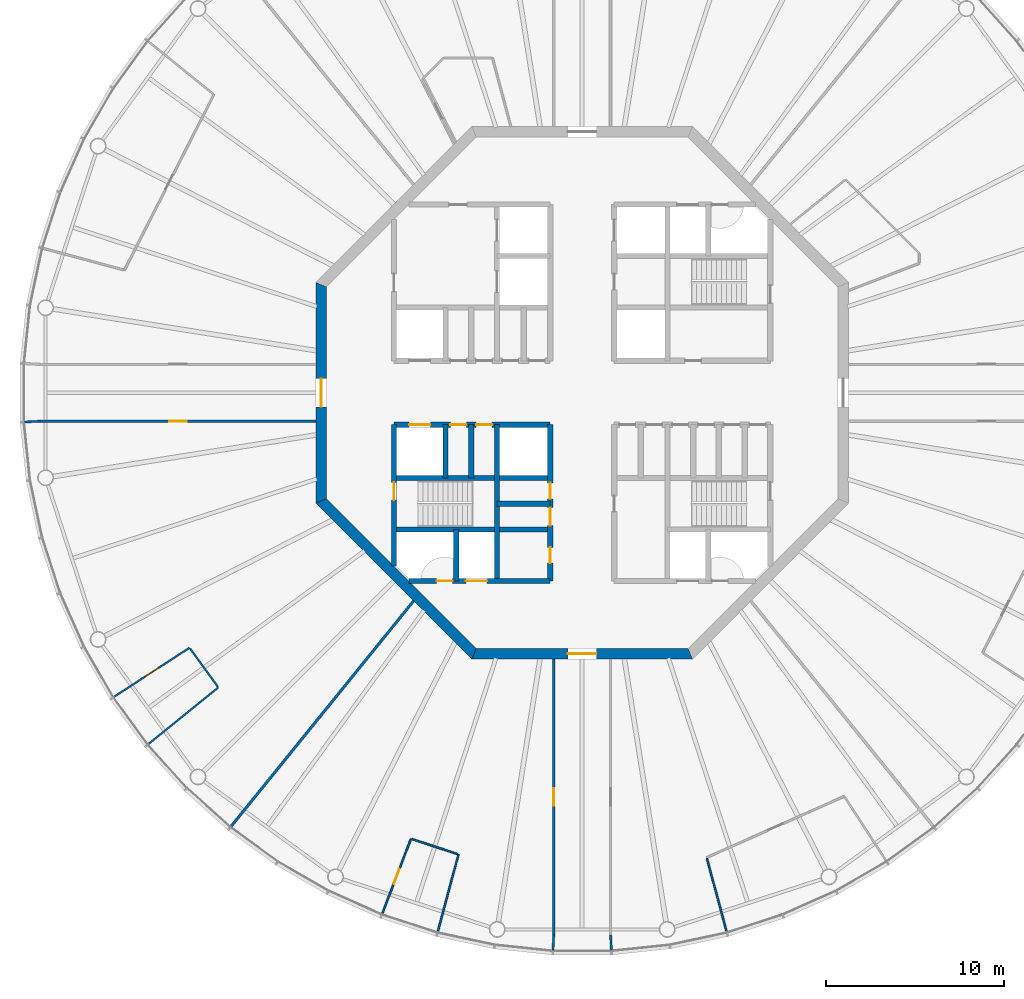
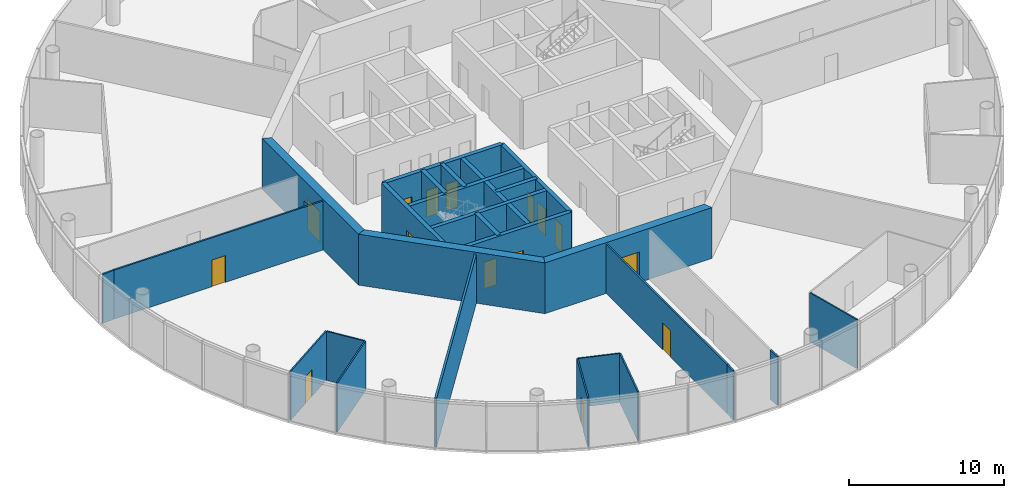
# One storey, part 3 of 13: 27 walls, 15 doors, 15 openings.
"""IFC4 building model written with IfcOpenShell, lengths in metres."""

from ifc_helpers import new_model, si_unit, direction, frame, frame_2d, origin, place, context, subcontext, project, spatial, polyline, rectangle, outline, extrude, material, layer, layer_set, type_object, element, fill, save


model = new_model("IFC4")

# Units and contexts
model_context = context("Model", 3, precision=1e-05, world=origin(), true_north=direction((0.0, 1.0)))
body_context = subcontext(model_context, "Body", "Model", "MODEL_VIEW")
ifc_project = project(units=[si_unit("LENGTHUNIT", "METRE"), si_unit("AREAUNIT", "SQUARE_METRE"), si_unit("VOLUMEUNIT", "CUBIC_METRE"), si_unit("PLANEANGLEUNIT", "RADIAN"), si_unit("MASSUNIT", "GRAM", prefix="KILO")], contexts=[model_context])

# Site, building, storey
site_placement = place(None, origin())
site = spatial("IfcSite", under=ifc_project, at=site_placement, CompositionType="ELEMENT")
building_placement = place(site_placement, origin())
building = spatial("IfcBuilding", under=site, at=building_placement, Name="Entoto Ring Tower", CompositionType="ELEMENT")
storey_placement = place(building_placement, frame((0.0, 0.0, 384.0)))
storey = spatial("IfcBuildingStorey", under=building, at=storey_placement, Name="L89", CompositionType="ELEMENT", Elevation=384.0)

# Wall, openings, doors
ifc_material_1 = material(Name="Concrete C40/50", Category="concrete")
ifc_layer_1 = layer(ifc_material_1, 0.300048828125)
ifc_layer_set_1 = layer_set([ifc_layer_1], Name="Concrete C40/50")
wall_type_1 = type_object("IfcWallType", Name="Core enclosure wall 300 mm reinforced concrete", PredefinedType="SOLIDWALL", material=ifc_layer_set_1)
wall_1_placement = place(storey_placement, frame((88.199951171875, 69.39990234375, 0.0), z_axis=(0.0, 0.0, 1.0), x_axis=(0.0, 1.0, 0.0)))
wall_1 = element("IfcWall", 1, at=wall_1_placement, inside=storey, type_object=wall_type_1, Name="wall-L89-013", PredefinedType="SOLIDWALL", context=body_context, shape_type="SweptSolid", body=[
    extrude(rectangle(XDim=8.800048828125, YDim=0.300048828125, at=frame_2d((4.39990234375, 0.0))), origin(), (0.0, 0.0, 1.0), 3.85009765625),
])
opening_1_placement = place(wall_1_placement, frame((3.125, 0.0, 0.0)))
opening_1 = element("IfcOpeningElement", 2, at=opening_1_placement, cuts=wall_1, Name="Opening K-70", PredefinedType="OPENING", context=body_context, shape_type="SweptSolid", body=[
    extrude(rectangle(XDim=1.0, YDim=2.10009765625, at=frame_2d((0.5, 1.050048828125))), frame((0.0, 0.16015625, 0.0), z_axis=(0.0, -1.0, 0.0), x_axis=(1.0, 0.0, 0.0)), (0.0, 0.0, 1.0), 0.320068359375),
])
opening_2_placement = place(wall_1_placement, frame((4.625, 0.0, 0.0)))
opening_2 = element("IfcOpeningElement", 3, at=opening_2_placement, cuts=wall_1, Name="Opening K-71", PredefinedType="OPENING", context=body_context, shape_type="SweptSolid", body=[
    extrude(rectangle(XDim=0.89990234375, YDim=2.10009765625, at=frame_2d((0.449951171875, 1.050048828125))), frame((0.0, 0.16015625, 0.0), z_axis=(0.0, -1.0, 0.0), x_axis=(1.0, 0.0, 0.0)), (0.0, 0.0, 1.0), 0.320068359375),
])
opening_3_placement = place(wall_1_placement, frame((1.0, 0.0, 0.0)))
opening_3 = element("IfcOpeningElement", 4, at=opening_3_placement, cuts=wall_1, Name="Opening K-24", PredefinedType="OPENING", context=body_context, shape_type="SweptSolid", body=[
    extrude(rectangle(XDim=0.89990234375, YDim=2.10009765625, at=frame_2d((0.449951171875, 1.050048828125))), frame((0.0, 0.16015625, 0.0), z_axis=(0.0, -1.0, 0.0), x_axis=(1.0, 0.0, 0.0)), (0.0, 0.0, 1.0), 0.320068359375),
])
ifc_material_2 = material(Name="Steel door leaf, fire rated", Category="steel")
ifc_layer_2 = layer(ifc_material_2, 0.050048828125)
ifc_layer_set_2 = layer_set([ifc_layer_2], Name="Steel door leaf, fire rated")
door_type_1 = type_object("IfcDoorType", Name="Accessible door 1000 x 2100 single leaf", OperationType="NOTDEFINED", PredefinedType="DOOR", material=ifc_layer_set_2)
door_1_placement = place(opening_1_placement, origin())
door_1 = element("IfcDoor", 5, at=door_1_placement, inside=storey, type_object=door_type_1, Name="Door K-70", OperationType="SINGLE_SWING_RIGHT", OverallHeight=2.10009765625, OverallWidth=1.0, PredefinedType="DOOR", context=body_context, shape_type="SweptSolid", body=[
    extrude(rectangle(XDim=1.0, YDim=2.10009765625, at=frame_2d((0.5, 1.050048828125))), frame((0.0, 0.02490234375, 0.0), z_axis=(0.0, -1.0, 0.0), x_axis=(1.0, 0.0, 0.0)), (0.0, 0.0, 1.0), 0.050048828125),
])
fill(opening_1, door_1)
ifc_material_3 = material(Name="Steel door leaf, fire rated", Category="steel")
ifc_layer_3 = layer(ifc_material_3, 0.050048828125)
ifc_layer_set_3 = layer_set([ifc_layer_3], Name="Steel door leaf, fire rated")
door_type_2 = type_object("IfcDoorType", Name="Core door 900 x 2100 single leaf", OperationType="NOTDEFINED", PredefinedType="DOOR", material=ifc_layer_set_3)
door_2_placement = place(opening_2_placement, origin())
door_2 = element("IfcDoor", 6, at=door_2_placement, inside=storey, type_object=door_type_2, Name="Door K-71", OperationType="SINGLE_SWING_RIGHT", OverallHeight=2.10009765625, OverallWidth=0.89990234375, PredefinedType="DOOR", context=body_context, shape_type="SweptSolid", body=[
    extrude(rectangle(XDim=0.89990234375, YDim=2.10009765625, at=frame_2d((0.449951171875, 1.050048828125))), frame((0.0, 0.02490234375, 0.0), z_axis=(0.0, -1.0, 0.0), x_axis=(1.0, 0.0, 0.0)), (0.0, 0.0, 1.0), 0.050048828125),
])
fill(opening_2, door_2)
door_3_placement = place(opening_3_placement, origin())
door_3 = element("IfcDoor", 7, at=door_3_placement, inside=storey, type_object=door_type_2, Name="Door K-24", OperationType="SINGLE_SWING_RIGHT", OverallHeight=2.10009765625, OverallWidth=0.89990234375, PredefinedType="DOOR", context=body_context, shape_type="SweptSolid", body=[
    extrude(rectangle(XDim=0.89990234375, YDim=2.10009765625, at=frame_2d((0.449951171875, 1.050048828125))), frame((0.0, 0.02490234375, 0.0), z_axis=(0.0, -1.0, 0.0), x_axis=(1.0, 0.0, 0.0)), (0.0, 0.0, 1.0), 0.050048828125),
])
fill(opening_3, door_3)

# Walls
wall_2_placement = place(storey_placement, frame((85.199951171875, 69.39990234375, 0.0), z_axis=(0.0, 0.0, 1.0), x_axis=(0.0, 1.0, 0.0)))
element("IfcWall", 8, at=wall_2_placement, inside=storey, type_object=wall_type_1, Name="wall-L89-016", PredefinedType="SOLIDWALL", context=body_context, shape_type="SweptSolid", body=[
    extrude(rectangle(XDim=8.800048828125, YDim=0.300048828125, at=frame_2d((4.39990234375, 0.0))), origin(), (0.0, 0.0, 1.0), 3.85009765625),
])
wall_3_placement = place(storey_placement, frame((83.75, 75.199951171875, 0.0), z_axis=(0.0, 0.0, 1.0), x_axis=(0.0, 1.0, 0.0)))
element("IfcWall", 9, at=wall_3_placement, inside=storey, type_object=wall_type_1, Name="wall-L89-018", PredefinedType="SOLIDWALL", context=body_context, shape_type="SweptSolid", body=[
    extrude(rectangle(XDim=3.0, YDim=0.300048828125, at=frame_2d((1.5, 0.0))), origin(), (0.0, 0.0, 1.0), 3.85009765625),
])
wall_4_placement = place(storey_placement, frame((82.89990234375, 69.39990234375, 0.0), z_axis=(0.0, 0.0, 1.0), x_axis=(0.0, 1.0, 0.0)))
element("IfcWall", 10, at=wall_4_placement, inside=storey, type_object=wall_type_1, Name="wall-L89-020", PredefinedType="SOLIDWALL", context=body_context, shape_type="SweptSolid", body=[
    extrude(rectangle(XDim=2.900146484375, YDim=0.300048828125, at=frame_2d((1.4501953125, 0.0))), origin(), (0.0, 0.0, 1.0), 3.85009765625),
])
wall_5_placement = place(storey_placement, frame((82.300048828125, 75.199951171875, 0.0), z_axis=(0.0, 0.0, 1.0), x_axis=(0.0, 1.0, 0.0)))
element("IfcWall", 11, at=wall_5_placement, inside=storey, type_object=wall_type_1, Name="wall-L89-021", PredefinedType="SOLIDWALL", context=body_context, shape_type="SweptSolid", body=[
    extrude(rectangle(XDim=3.0, YDim=0.300048828125, at=frame_2d((1.5, 0.0))), origin(), (0.0, 0.0, 1.0), 3.85009765625),
])

# Wall, opening, door
wall_6_placement = place(storey_placement, frame((79.39990234375, 70.2353515625, 0.0), z_axis=(0.0, 0.0, 1.0), x_axis=(0.0, 1.0, 0.0)))
wall_6 = element("IfcWall", 12, at=wall_6_placement, inside=storey, type_object=wall_type_1, Name="wall-L89-023", PredefinedType="SOLIDWALL", context=body_context, shape_type="SweptSolid", body=[
    extrude(rectangle(XDim=7.964599609375, YDim=0.300048828125, at=frame_2d((3.982421875, 0.0))), origin(), (0.0, 0.0, 1.0), 3.85009765625),
])
opening_4_placement = place(wall_6_placement, frame((3.714599609375, 0.0, 0.0)))
opening_4 = element("IfcOpeningElement", 13, at=opening_4_placement, cuts=wall_6, Name="Opening K-30", PredefinedType="OPENING", context=body_context, shape_type="SweptSolid", body=[
    extrude(rectangle(XDim=1.0, YDim=2.10009765625, at=frame_2d((0.5, 1.050048828125))), frame((0.0, 0.16015625, 0.0), z_axis=(0.0, -1.0, 0.0), x_axis=(1.0, 0.0, 0.0)), (0.0, 0.0, 1.0), 0.320068359375),
])
ifc_material_4 = material(Name="Steel door leaf, fire rated", Category="steel")
ifc_layer_4 = layer(ifc_material_4, 0.050048828125)
ifc_layer_set_4 = layer_set([ifc_layer_4], Name="Steel door leaf, fire rated")
door_type_3 = type_object("IfcDoorType", Name="Fire door FD60 1000 x 2100 single leaf", OperationType="NOTDEFINED", PredefinedType="DOOR", material=ifc_layer_set_4)
door_4_placement = place(opening_4_placement, frame((1.0, 0.0, 0.0), z_axis=(0.0, 0.0, 1.0), x_axis=(-1.0, 0.0, 0.0)))
door_4 = element("IfcDoor", 14, at=door_4_placement, inside=storey, type_object=door_type_3, Name="Door K-30", OperationType="SINGLE_SWING_LEFT", OverallHeight=2.10009765625, OverallWidth=1.0, PredefinedType="DOOR", context=body_context, shape_type="SweptSolid", body=[
    extrude(rectangle(XDim=1.0, YDim=2.10009765625, at=frame_2d((0.5, 1.050048828125))), frame((0.0, 0.02490234375, 0.0), z_axis=(0.0, -1.0, 0.0), x_axis=(1.0, 0.0, 0.0)), (0.0, 0.0, 1.0), 0.050048828125),
])
fill(opening_4, door_4)

# Wall, openings, doors
wall_7_placement = place(storey_placement, frame((80.2353515625, 69.39990234375, 0.0), z_axis=(0.0, 0.0, 1.0), x_axis=(1.0, 0.0, 0.0)))
wall_7 = element("IfcWall", 15, at=wall_7_placement, inside=storey, type_object=wall_type_1, Name="wall-L89-025", PredefinedType="SOLIDWALL", context=body_context, shape_type="SweptSolid", body=[
    extrude(rectangle(XDim=7.964599609375, YDim=0.300048828125, at=frame_2d((3.982421875, 0.0))), origin(), (0.0, 0.0, 1.0), 3.85009765625),
])
opening_5_placement = place(wall_7_placement, frame((3.214599609375, 0.0, 0.0)))
opening_5 = element("IfcOpeningElement", 16, at=opening_5_placement, cuts=wall_7, Name="Opening LD", PredefinedType="OPENING", context=body_context, shape_type="SweptSolid", body=[
    extrude(rectangle(XDim=1.199951171875, YDim=2.10009765625, at=frame_2d((0.60009765625, 1.050048828125))), frame((0.0, 0.16015625, 0.0), z_axis=(0.0, -1.0, 0.0), x_axis=(1.0, 0.0, 0.0)), (0.0, 0.0, 1.0), 0.320068359375),
])
opening_6_placement = place(wall_7_placement, frame((1.564697265625, 0.0, 0.0)))
opening_6 = element("IfcOpeningElement", 17, at=opening_6_placement, cuts=wall_7, Name="Opening K-33", PredefinedType="OPENING", context=body_context, shape_type="SweptSolid", body=[
    extrude(rectangle(XDim=0.89990234375, YDim=2.10009765625, at=frame_2d((0.449951171875, 1.050048828125))), frame((0.0, 0.16015625, 0.0), z_axis=(0.0, -1.0, 0.0), x_axis=(1.0, 0.0, 0.0)), (0.0, 0.0, 1.0), 0.320068359375),
])
ifc_material_5 = material(Name="Steel and glass door leaf", Category="steel")
ifc_layer_5 = layer(ifc_material_5, 0.050048828125)
ifc_layer_set_5 = layer_set([ifc_layer_5], Name="Steel and glass door leaf")
door_type_4 = type_object("IfcDoorType", Name="Landing door 1200 x 2100 sliding", OperationType="DOUBLE_DOOR_SLIDING", PredefinedType="DOOR", material=ifc_layer_set_5)
door_5_placement = place(opening_5_placement, origin())
door_5 = element("IfcDoor", 18, at=door_5_placement, inside=storey, type_object=door_type_4, Name="Landing door LB3-HR", OperationType="SLIDING_TO_RIGHT", OverallHeight=2.10009765625, OverallWidth=1.199951171875, PredefinedType="DOOR", context=body_context, shape_type="SweptSolid", body=[
    extrude(rectangle(XDim=1.199951171875, YDim=2.10009765625, at=frame_2d((0.60009765625, 1.050048828125))), frame((0.0, 0.02490234375, 0.0), z_axis=(0.0, -1.0, 0.0), x_axis=(1.0, 0.0, 0.0)), (0.0, 0.0, 1.0), 0.050048828125),
])
fill(opening_5, door_5)
ifc_material_6 = material(Name="Steel door leaf, fire rated", Category="steel")
ifc_layer_6 = layer(ifc_material_6, 0.050048828125)
ifc_layer_set_6 = layer_set([ifc_layer_6], Name="Steel door leaf, fire rated")
door_type_5 = type_object("IfcDoorType", Name="Riser door FD60 900 x 2100 single leaf", OperationType="NOTDEFINED", PredefinedType="DOOR", material=ifc_layer_set_6)
door_6_placement = place(opening_6_placement, origin())
door_6 = element("IfcDoor", 19, at=door_6_placement, inside=storey, type_object=door_type_5, Name="Door K-33", OperationType="SINGLE_SWING_RIGHT", OverallHeight=2.10009765625, OverallWidth=0.89990234375, PredefinedType="DOOR", context=body_context, shape_type="SweptSolid", body=[
    extrude(rectangle(XDim=0.89990234375, YDim=2.10009765625, at=frame_2d((0.449951171875, 1.050048828125))), frame((0.0, 0.02490234375, 0.0), z_axis=(0.0, -1.0, 0.0), x_axis=(1.0, 0.0, 0.0)), (0.0, 0.0, 1.0), 0.050048828125),
])
fill(opening_6, door_6)

# Walls
wall_8_placement = place(storey_placement, frame((79.39990234375, 72.300048828125, 0.0), z_axis=(0.0, 0.0, 1.0), x_axis=(1.0, 0.0, 0.0)))
element("IfcWall", 20, at=wall_8_placement, inside=storey, type_object=wall_type_1, Name="wall-L89-027", PredefinedType="SOLIDWALL", context=body_context, shape_type="SweptSolid", body=[
    extrude(rectangle(XDim=8.800048828125, YDim=0.300048828125, at=frame_2d((4.39990234375, 0.0))), origin(), (0.0, 0.0, 1.0), 3.85009765625),
])
wall_9_placement = place(storey_placement, frame((85.199951171875, 73.75, 0.0), z_axis=(0.0, 0.0, 1.0), x_axis=(1.0, 0.0, 0.0)))
element("IfcWall", 21, at=wall_9_placement, inside=storey, type_object=wall_type_1, Name="wall-L89-029", PredefinedType="SOLIDWALL", context=body_context, shape_type="SweptSolid", body=[
    extrude(rectangle(XDim=3.0, YDim=0.300048828125, at=frame_2d((1.5, 0.0))), origin(), (0.0, 0.0, 1.0), 3.85009765625),
])
wall_10_placement = place(storey_placement, frame((79.39990234375, 75.199951171875, 0.0), z_axis=(0.0, 0.0, 1.0), x_axis=(1.0, 0.0, 0.0)))
element("IfcWall", 22, at=wall_10_placement, inside=storey, type_object=wall_type_1, Name="wall-L89-030", PredefinedType="SOLIDWALL", context=body_context, shape_type="SweptSolid", body=[
    extrude(rectangle(XDim=8.800048828125, YDim=0.300048828125, at=frame_2d((4.39990234375, 0.0))), origin(), (0.0, 0.0, 1.0), 3.85009765625),
])

# Wall, openings, doors
wall_11_placement = place(storey_placement, frame((79.39990234375, 78.199951171875, 0.0), z_axis=(0.0, 0.0, 1.0), x_axis=(1.0, 0.0, 0.0)))
wall_11 = element("IfcWall", 23, at=wall_11_placement, inside=storey, type_object=wall_type_1, Name="wall-L89-032", PredefinedType="SOLIDWALL", context=body_context, shape_type="SweptSolid", body=[
    extrude(rectangle(XDim=8.800048828125, YDim=0.300048828125, at=frame_2d((4.39990234375, 0.0))), origin(), (0.0, 0.0, 1.0), 3.85009765625),
])
opening_7_placement = place(wall_11_placement, frame((0.85009765625, 0.0, 0.0)))
opening_7 = element("IfcOpeningElement", 24, at=opening_7_placement, cuts=wall_11, Name="Opening LD", PredefinedType="OPENING", context=body_context, shape_type="SweptSolid", body=[
    extrude(rectangle(XDim=1.199951171875, YDim=2.10009765625, at=frame_2d((0.60009765625, 1.050048828125))), frame((0.0, 0.16015625, 0.0), z_axis=(0.0, -1.0, 0.0), x_axis=(1.0, 0.0, 0.0)), (0.0, 0.0, 1.0), 0.320068359375),
])
opening_8_placement = place(wall_11_placement, frame((3.175048828125, 0.0, 0.0)))
opening_8 = element("IfcOpeningElement", 25, at=opening_8_placement, cuts=wall_11, Name="Opening K-18", PredefinedType="OPENING", context=body_context, shape_type="SweptSolid", body=[
    extrude(rectangle(XDim=0.89990234375, YDim=2.10009765625, at=frame_2d((0.449951171875, 1.050048828125))), frame((0.0, 0.16015625, 0.0), z_axis=(0.0, -1.0, 0.0), x_axis=(1.0, 0.0, 0.0)), (0.0, 0.0, 1.0), 0.320068359375),
])
opening_9_placement = place(wall_11_placement, frame((4.625, 0.0, 0.0)))
opening_9 = element("IfcOpeningElement", 26, at=opening_9_placement, cuts=wall_11, Name="Opening K-19", PredefinedType="OPENING", context=body_context, shape_type="SweptSolid", body=[
    extrude(rectangle(XDim=0.89990234375, YDim=2.10009765625, at=frame_2d((0.449951171875, 1.050048828125))), frame((0.0, 0.16015625, 0.0), z_axis=(0.0, -1.0, 0.0), x_axis=(1.0, 0.0, 0.0)), (0.0, 0.0, 1.0), 0.320068359375),
])
door_7_placement = place(opening_8_placement, frame((0.89990234375, 0.0, 0.0), z_axis=(0.0, 0.0, 1.0), x_axis=(-1.0, 0.0, 0.0)))
door_7 = element("IfcDoor", 27, at=door_7_placement, inside=storey, type_object=door_type_2, Name="Door K-18", OperationType="SINGLE_SWING_LEFT", OverallHeight=2.10009765625, OverallWidth=0.89990234375, PredefinedType="DOOR", context=body_context, shape_type="SweptSolid", body=[
    extrude(rectangle(XDim=0.89990234375, YDim=2.10009765625, at=frame_2d((0.449951171875, 1.050048828125))), frame((0.0, 0.02490234375, 0.0), z_axis=(0.0, -1.0, 0.0), x_axis=(1.0, 0.0, 0.0)), (0.0, 0.0, 1.0), 0.050048828125),
])
fill(opening_8, door_7)
door_8_placement = place(opening_9_placement, frame((0.89990234375, 0.0, 0.0), z_axis=(0.0, 0.0, 1.0), x_axis=(-1.0, 0.0, 0.0)))
door_8 = element("IfcDoor", 28, at=door_8_placement, inside=storey, type_object=door_type_2, Name="Door K-19", OperationType="SINGLE_SWING_LEFT", OverallHeight=2.10009765625, OverallWidth=0.89990234375, PredefinedType="DOOR", context=body_context, shape_type="SweptSolid", body=[
    extrude(rectangle(XDim=0.89990234375, YDim=2.10009765625, at=frame_2d((0.449951171875, 1.050048828125))), frame((0.0, 0.02490234375, 0.0), z_axis=(0.0, -1.0, 0.0), x_axis=(1.0, 0.0, 0.0)), (0.0, 0.0, 1.0), 0.050048828125),
])
fill(opening_9, door_8)
door_9_placement = place(opening_7_placement, origin())
door_9 = element("IfcDoor", 29, at=door_9_placement, inside=storey, type_object=door_type_4, Name="Landing door SH2", OperationType="SLIDING_TO_RIGHT", OverallHeight=2.10009765625, OverallWidth=1.199951171875, PredefinedType="DOOR", context=body_context, shape_type="SweptSolid", body=[
    extrude(rectangle(XDim=1.199951171875, YDim=2.10009765625, at=frame_2d((0.60009765625, 1.050048828125))), frame((0.0, 0.02490234375, 0.0), z_axis=(0.0, -1.0, 0.0), x_axis=(1.0, 0.0, 0.0)), (0.0, 0.0, 1.0), 0.050048828125),
])
fill(opening_7, door_9)

# Wall, opening, door
ifc_material_7 = material(Name="Concrete C40/50", Category="concrete")
ifc_layer_7 = layer(ifc_material_7, 0.60009765625)
ifc_layer_set_7 = layer_set([ifc_layer_7], Name="Concrete C40/50")
wall_type_2 = type_object("IfcWallType", Name="Core shear wall 600 mm reinforced concrete C40/50", PredefinedType="SHEAR", material=ifc_layer_set_7)
wall_12_placement = place(storey_placement, frame((75.300048828125, 86.0888671875, 0.0), z_axis=(0.0, 0.0, 1.0), x_axis=(0.0, -1.0, 0.0)))
wall_12 = element("IfcWall", 30, at=wall_12_placement, inside=storey, type_object=wall_type_2, Name="wall-L89-core-4", PredefinedType="SHEAR", context=body_context, shape_type="SweptSolid", body=[
    extrude(outline(polyline([(-0.124267578125, -0.300048828125), (12.302001953125, -0.300048828125), (12.053466796875, 0.300048828125), (0.124267578125, 0.300048828125), (-0.124267578125, -0.300048828125)])), origin(), (0.0, 0.0, 1.0), 4.0),
])
opening_10_placement = place(wall_12_placement, frame((5.288818359375, 0.0, 0.0)))
opening_10 = element("IfcOpeningElement", 31, at=opening_10_placement, cuts=wall_12, Name="Opening K-03", PredefinedType="OPENING", context=body_context, shape_type="SweptSolid", body=[
    extrude(rectangle(XDim=1.60009765625, YDim=2.39990234375, at=frame_2d((0.800048828125, 1.199951171875))), frame((0.0, 0.31005859375, 0.0), z_axis=(0.0, -1.0, 0.0), x_axis=(1.0, 0.0, 0.0)), (0.0, 0.0, 1.0), 0.6201171875),
])
ifc_material_8 = material(Name="Steel door leaf, fire rated", Category="steel")
ifc_layer_8 = layer(ifc_material_8, 0.050048828125)
ifc_layer_set_8 = layer_set([ifc_layer_8], Name="Steel door leaf, fire rated")
door_type_6 = type_object("IfcDoorType", Name="Entrance door FD60 1600 x 2400 double leaf", OperationType="DOUBLE_DOOR_SINGLE_SWING", PredefinedType="DOOR", material=ifc_layer_set_8)
door_10_placement = place(opening_10_placement, origin())
door_10 = element("IfcDoor", 32, at=door_10_placement, inside=storey, type_object=door_type_6, Name="Entrance door K-03", OperationType="DOUBLE_DOOR_SINGLE_SWING", OverallHeight=2.39990234375, OverallWidth=1.60009765625, PredefinedType="DOOR", context=body_context, shape_type="SweptSolid", body=[
    extrude(rectangle(XDim=1.60009765625, YDim=2.39990234375, at=frame_2d((0.800048828125, 1.199951171875))), frame((0.0, 0.02490234375, 0.0), z_axis=(0.0, -1.0, 0.0), x_axis=(1.0, 0.0, 0.0)), (0.0, 0.0, 1.0), 0.050048828125),
])
fill(opening_10, door_10)

# Wall
wall_13_placement = place(storey_placement, frame((75.300048828125, 73.9111328125, 0.0), z_axis=(0.0, 0.0, 1.0), x_axis=(0.707106781187, -0.707106781187, 0.0)))
element("IfcWall", 33, at=wall_13_placement, inside=storey, type_object=wall_type_2, Name="wall-L89-core-5", PredefinedType="SHEAR", context=body_context, shape_type="SweptSolid", body=[
    extrude(outline(polyline([(-0.124267578125, -0.300048828125), (12.30224609375, -0.300048828125), (12.0537109375, 0.300048828125), (0.124267578125, 0.300048828125), (-0.124267578125, -0.300048828125)])), origin(), (0.0, 0.0, 1.0), 4.0),
])

# Wall, opening, door
wall_14_placement = place(storey_placement, frame((83.9111328125, 65.300048828125, 0.0), z_axis=(0.0, 0.0, 1.0), x_axis=(1.0, 0.0, 0.0)))
wall_14 = element("IfcWall", 34, at=wall_14_placement, inside=storey, type_object=wall_type_2, Name="wall-L89-core-6", PredefinedType="SHEAR", context=body_context, shape_type="SweptSolid", body=[
    extrude(outline(polyline([(-0.124267578125, -0.300048828125), (12.302001953125, -0.300048828125), (12.053466796875, 0.300048828125), (0.124267578125, 0.300048828125), (-0.124267578125, -0.300048828125)])), origin(), (0.0, 0.0, 1.0), 4.0),
])
opening_11_placement = place(wall_14_placement, frame((5.288818359375, 0.0, 0.0)))
opening_11 = element("IfcOpeningElement", 35, at=opening_11_placement, cuts=wall_14, Name="Opening K-04", PredefinedType="OPENING", context=body_context, shape_type="SweptSolid", body=[
    extrude(rectangle(XDim=1.60009765625, YDim=2.39990234375, at=frame_2d((0.800048828125, 1.199951171875))), frame((0.0, 0.31005859375, 0.0), z_axis=(0.0, -1.0, 0.0), x_axis=(1.0, 0.0, 0.0)), (0.0, 0.0, 1.0), 0.6201171875),
])
door_11_placement = place(opening_11_placement, origin())
door_11 = element("IfcDoor", 36, at=door_11_placement, inside=storey, type_object=door_type_6, Name="Entrance door K-04", OperationType="DOUBLE_DOOR_SINGLE_SWING", OverallHeight=2.39990234375, OverallWidth=1.60009765625, PredefinedType="DOOR", context=body_context, shape_type="SweptSolid", body=[
    extrude(rectangle(XDim=1.60009765625, YDim=2.39990234375, at=frame_2d((0.800048828125, 1.199951171875))), frame((0.0, 0.02490234375, 0.0), z_axis=(0.0, -1.0, 0.0), x_axis=(1.0, 0.0, 0.0)), (0.0, 0.0, 1.0), 0.050048828125),
])
fill(opening_11, door_11)

ifc_material_9 = material(Name="Fire-resisting plasterboard on steel studs", Category="steel")
ifc_layer_9 = layer(ifc_material_9, 0.125)
ifc_layer_set_9 = layer_set([ifc_layer_9], Name="Fire-resisting plasterboard on steel studs")
wall_type_3 = type_object("IfcWallType", Name="Corridor wall 125 mm one-hour plasterboard on steel studs", PredefinedType="PARTITIONING", material=ifc_layer_set_9)
wall_15_placement = place(storey_placement, frame((59.47021484375, 78.39990234375, 0.0), z_axis=(0.0, 0.0, 1.0), x_axis=(1.0, 0.0, 0.0)))
wall_15 = element("IfcWall", 37, at=wall_15_placement, inside=storey, type_object=wall_type_3, Name="partition-L89-001", PredefinedType="PARTITIONING", context=body_context, shape_type="SweptSolid", body=[
    extrude(rectangle(XDim=15.52978515625, YDim=0.125, at=frame_2d((7.764892578125, 0.0))), origin(), (0.0, 0.0, 1.0), 3.85009765625),
])
opening_12_placement = place(wall_15_placement, frame((7.264892578125, 0.0, 0.0)))
opening_12 = element("IfcOpeningElement", 38, at=opening_12_placement, cuts=wall_15, Name="Opening A38-D09", PredefinedType="OPENING", context=body_context, shape_type="SweptSolid", body=[
    extrude(rectangle(XDim=1.0, YDim=2.10009765625, at=frame_2d((0.5, 1.050048828125))), frame((0.0, 0.072509765625, 0.0), z_axis=(0.0, -1.0, 0.0), x_axis=(1.0, 0.0, 0.0)), (0.0, 0.0, 1.0), 0.14501953125),
])
ifc_material_10 = material(Name="Fire-resisting timber door set", Category="wood")
door_type_7 = type_object("IfcDoorType", Name="Door 1000 x 2100 single leaf FD30S fire door", OperationType="NOTDEFINED", PredefinedType="DOOR", material=ifc_material_10)
door_12_placement = place(opening_12_placement, frame((1.0, 0.0, 0.0), z_axis=(0.0, 0.0, 1.0), x_axis=(-1.0, 0.0, 0.0)))
door_12 = element("IfcDoor", 39, at=door_12_placement, inside=storey, type_object=door_type_7, Name="Door A38-D09", OperationType="SINGLE_SWING_LEFT", OverallHeight=2.10009765625, OverallWidth=1.0, PredefinedType="DOOR", context=body_context, shape_type="SweptSolid", body=[
    extrude(rectangle(XDim=1.0, YDim=2.10009765625, at=frame_2d((0.5, 1.050048828125))), frame((0.0, 0.02490234375, 0.0), z_axis=(0.0, -1.0, 0.0), x_axis=(1.0, 0.0, 0.0)), (0.0, 0.0, 1.0), 0.050048828125),
])
fill(opening_12, door_12)

wall_16_placement = place(storey_placement, frame((88.39990234375, 49.47021484375, 0.0), z_axis=(0.0, 0.0, 1.0), x_axis=(0.0, 1.0, 0.0)))
wall_16 = element("IfcWall", 40, at=wall_16_placement, inside=storey, type_object=wall_type_3, Name="partition-L89-003", PredefinedType="PARTITIONING", context=body_context, shape_type="SweptSolid", body=[
    extrude(rectangle(XDim=15.52978515625, YDim=0.125, at=frame_2d((7.764892578125, 0.0))), origin(), (0.0, 0.0, 1.0), 3.85009765625),
])
opening_13_placement = place(wall_16_placement, frame((7.264892578125, 0.0, 0.0)))
opening_13 = element("IfcOpeningElement", 41, at=opening_13_placement, cuts=wall_16, Name="Opening A38-D11", PredefinedType="OPENING", context=body_context, shape_type="SweptSolid", body=[
    extrude(rectangle(XDim=1.0, YDim=2.10009765625, at=frame_2d((0.5, 1.050048828125))), frame((0.0, 0.072509765625, 0.0), z_axis=(0.0, -1.0, 0.0), x_axis=(1.0, 0.0, 0.0)), (0.0, 0.0, 1.0), 0.14501953125),
])
door_13_placement = place(opening_13_placement, origin())
door_13 = element("IfcDoor", 42, at=door_13_placement, inside=storey, type_object=door_type_7, Name="Door A38-D11", OperationType="SINGLE_SWING_RIGHT", OverallHeight=2.10009765625, OverallWidth=1.0, PredefinedType="DOOR", context=body_context, shape_type="SweptSolid", body=[
    extrude(rectangle(XDim=1.0, YDim=2.10009765625, at=frame_2d((0.5, 1.050048828125))), frame((0.0, 0.02490234375, 0.0), z_axis=(0.0, -1.0, 0.0), x_axis=(1.0, 0.0, 0.0)), (0.0, 0.0, 1.0), 0.050048828125),
])
fill(opening_13, door_13)

# Walls
for number, where, z_axis, x_axis, name in (
    (43, (58.60302734375, 78.3544921875, 0.0), (0.0, 0.0, 1.0), (0.998620946423, 0.052499574911, 0.0), "partition-L89-009"),
    (44, (88.3544921875, 48.60302734375, 0.0), (0.0, 0.0, 1.0), (0.052499574911, 0.998620946423, 0.0), "partition-L89-011"),
    (45, (91.6455078125, 48.60302734375, 0.0), (0.0, 0.0, 1.0), (-0.052499574911, 0.998620946423, 0.0), "partition-L89-014"),
):
    element("IfcWall", number, at=place(storey_placement, frame(where, z_axis=z_axis, x_axis=x_axis)), inside=storey, type_object=wall_type_3, Name=name, PredefinedType="PARTITIONING", context=body_context, shape_type="SweptSolid", body=[
        extrude(rectangle(XDim=0.864990234375, YDim=0.125, at=frame_2d((0.4326171875, 0.0))), origin(), (0.0, 0.0, 1.0), 3.85009765625),
    ])

# Wall, opening, door
ifc_material_11 = material(Name="Plasterboard on steel studs", Category="steel")
ifc_layer_10 = layer(ifc_material_11, 0.10009765625)
ifc_layer_set_10 = layer_set([ifc_layer_10], Name="Plasterboard on steel studs")
wall_type_4 = type_object("IfcWallType", Name="Partition 100 mm plasterboard on steel studs", PredefinedType="PARTITIONING", material=ifc_layer_set_10)
wall_17_placement = place(storey_placement, frame((63.632080078125, 62.87646484375, 0.0), z_axis=(0.0, 0.0, 1.0), x_axis=(0.838664674471, 0.544648110062, 0.0)))
wall_17 = element("IfcWall", 46, at=wall_17_placement, inside=storey, type_object=wall_type_4, Name="partition-L89-025", PredefinedType="PARTITIONING", context=body_context, shape_type="SweptSolid", body=[
    extrude(rectangle(XDim=5.0703125, YDim=0.10009765625, at=frame_2d((2.53515625, 0.0))), origin(), (0.0, 0.0, 1.0), 3.85009765625),
])
opening_14_placement = place(wall_17_placement, frame((2.0849609375, 0.0, 0.0)))
opening_14 = element("IfcOpeningElement", 47, at=opening_14_placement, cuts=wall_17, Name="Opening A38-D10", PredefinedType="OPENING", context=body_context, shape_type="SweptSolid", body=[
    extrude(rectangle(XDim=0.89990234375, YDim=2.10009765625, at=frame_2d((0.449951171875, 1.050048828125))), frame((0.0, 0.06005859375, 0.0), z_axis=(0.0, -1.0, 0.0), x_axis=(1.0, 0.0, 0.0)), (0.0, 0.0, 1.0), 0.1201171875),
])
ifc_material_12 = material(Name="Veneered timber door leaf in timber frame", Category="wood")
door_type_8 = type_object("IfcDoorType", Name="Door 900 x 2100 single leaf timber veneer", OperationType="NOTDEFINED", PredefinedType="DOOR", material=ifc_material_12)
door_14_placement = place(opening_14_placement, frame((0.89990234375, 0.0, 0.0), z_axis=(0.0, 0.0, 1.0), x_axis=(-1.0, 0.0, 0.0)))
door_14 = element("IfcDoor", 48, at=door_14_placement, inside=storey, type_object=door_type_8, Name="Door A38-D10", OperationType="SINGLE_SWING_RIGHT", OverallHeight=2.10009765625, OverallWidth=0.89990234375, PredefinedType="DOOR", context=body_context, shape_type="SweptSolid", body=[
    extrude(rectangle(XDim=0.89990234375, YDim=2.10009765625, at=frame_2d((0.449951171875, 1.050048828125))), frame((0.0, 0.02490234375, 0.0), z_axis=(0.0, -1.0, 0.0), x_axis=(1.0, 0.0, 0.0)), (0.0, 0.0, 1.0), 0.050048828125),
])
fill(opening_14, door_14)

# Wall
wall_18_placement = place(storey_placement, frame((65.56640625, 60.214111328125, 0.0), z_axis=(0.0, 0.0, 1.0), x_axis=(0.777148422764, 0.629317351577, 0.0)))
element("IfcWall", 49, at=wall_18_placement, inside=storey, type_object=wall_type_4, Name="partition-L89-026", PredefinedType="PARTITIONING", context=body_context, shape_type="SweptSolid", body=[
    extrude(rectangle(XDim=5.070068359375, YDim=0.10009765625, at=frame_2d((2.53515625, 0.0))), origin(), (0.0, 0.0, 1.0), 3.85009765625),
])

# Wall, opening, door
wall_19_placement = place(storey_placement, frame((78.73291015625, 50.648193359375, 0.0), z_axis=(0.0, 0.0, 1.0), x_axis=(0.358336164468, 0.933592627024, 0.0)))
wall_19 = element("IfcWall", 50, at=wall_19_placement, inside=storey, type_object=wall_type_4, Name="partition-L89-033", PredefinedType="PARTITIONING", context=body_context, shape_type="SweptSolid", body=[
    extrude(rectangle(XDim=4.530029296875, YDim=0.10009765625, at=frame_2d((2.26513671875, 0.0))), origin(), (0.0, 0.0, 1.0), 3.85009765625),
])
opening_15_placement = place(wall_19_placement, frame((1.81494140625, 0.0, 0.0)))
opening_15 = element("IfcOpeningElement", 51, at=opening_15_placement, cuts=wall_19, Name="Opening A38-D12", PredefinedType="OPENING", context=body_context, shape_type="SweptSolid", body=[
    extrude(rectangle(XDim=0.89990234375, YDim=2.10009765625, at=frame_2d((0.449951171875, 1.050048828125))), frame((0.0, 0.06005859375, 0.0), z_axis=(0.0, -1.0, 0.0), x_axis=(1.0, 0.0, 0.0)), (0.0, 0.0, 1.0), 0.1201171875),
])
door_15_placement = place(opening_15_placement, frame((0.89990234375, 0.0, 0.0), z_axis=(0.0, 0.0, 1.0), x_axis=(-1.0, 0.0, 0.0)))
door_15 = element("IfcDoor", 52, at=door_15_placement, inside=storey, type_object=door_type_8, Name="Door A38-D12", OperationType="SINGLE_SWING_RIGHT", OverallHeight=2.10009765625, OverallWidth=0.89990234375, PredefinedType="DOOR", context=body_context, shape_type="SweptSolid", body=[
    extrude(rectangle(XDim=0.89990234375, YDim=2.10009765625, at=frame_2d((0.449951171875, 1.050048828125))), frame((0.0, 0.02490234375, 0.0), z_axis=(0.0, -1.0, 0.0), x_axis=(1.0, 0.0, 0.0)), (0.0, 0.0, 1.0), 0.050048828125),
])
fill(opening_15, door_15)

# Walls
wall_20_placement = place(storey_placement, frame((81.86279296875, 49.63134765625, 0.0), z_axis=(0.0, 0.0, 1.0), x_axis=(0.258809720745, 0.965928324695, 0.0)))
element("IfcWall", 53, at=wall_20_placement, inside=storey, type_object=wall_type_4, Name="partition-L89-034", PredefinedType="PARTITIONING", context=body_context, shape_type="SweptSolid", body=[
    extrude(rectangle(XDim=4.52978515625, YDim=0.10009765625, at=frame_2d((2.264892578125, 0.0))), origin(), (0.0, 0.0, 1.0), 3.85009765625),
])
wall_21_placement = place(storey_placement, frame((98.13720703125, 49.63134765625, 0.0), z_axis=(0.0, 0.0, 1.0), x_axis=(-0.258781591462, 0.965935861183, 0.0)))
element("IfcWall", 54, at=wall_21_placement, inside=storey, type_object=wall_type_4, Name="partition-L89-036", PredefinedType="PARTITIONING", context=body_context, shape_type="SweptSolid", body=[
    extrude(rectangle(XDim=4.290771484375, YDim=0.10009765625, at=frame_2d((2.1455078125, 0.0))), origin(), (0.0, 0.0, 1.0), 3.85009765625),
])
wall_22_placement = place(storey_placement, frame((82.98779296875, 54.0224609375, 0.0), z_axis=(0.0, 0.0, 1.0), x_axis=(-0.951081603695, 0.308939772629, 0.0)))
element("IfcWall", 55, at=wall_22_placement, inside=storey, type_object=wall_type_4, Name="partition-L89-041", PredefinedType="PARTITIONING", context=body_context, shape_type="SweptSolid", body=[
    extrude(rectangle(XDim=2.716796875, YDim=0.10009765625, at=frame_2d((1.3583984375, 0.0))), origin(), (0.0, 0.0, 1.0), 3.85009765625),
])
wall_23_placement = place(storey_placement, frame((69.477294921875, 63.4453125, 0.0), z_axis=(0.0, 0.0, 1.0), x_axis=(-0.587816944299, 0.808993967836, 0.0)))
element("IfcWall", 56, at=wall_23_placement, inside=storey, type_object=wall_type_4, Name="partition-L89-043", PredefinedType="PARTITIONING", context=body_context, shape_type="SweptSolid", body=[
    extrude(rectangle(XDim=2.66015625, YDim=0.10009765625, at=frame_2d((1.330078125, 0.0))), origin(), (0.0, 0.0, 1.0), 3.85009765625),
])
ifc_material_13 = material(Name="Fire-resisting acoustic plasterboard on steel studs", Category="steel")
ifc_layer_11 = layer(ifc_material_13, 0.14990234375)
ifc_layer_set_11 = layer_set([ifc_layer_11], Name="Fire-resisting acoustic plasterboard on steel studs")
wall_type_5 = type_object("IfcWallType", Name="Party wall 150 mm one-hour acoustic plasterboard on steel studs", PredefinedType="PARTITIONING", material=ifc_layer_set_11)
wall_24_placement = place(storey_placement, frame((70.214111328125, 55.56640625, 0.0), z_axis=(0.0, 0.0, 1.0), x_axis=(0.629323592667, 0.777143368827, 0.0)))
element("IfcWall", 57, at=wall_24_placement, inside=storey, type_object=wall_type_5, Name="partition-L89-017", PredefinedType="PARTITIONING", context=body_context, shape_type="SweptSolid", body=[
    extrude(rectangle(XDim=16.357666015625, YDim=0.14990234375, at=frame_2d((8.1787109375, 0.0))), origin(), (0.0, 0.0, 1.0), 3.85009765625),
])

save(model, "model.ifc")
